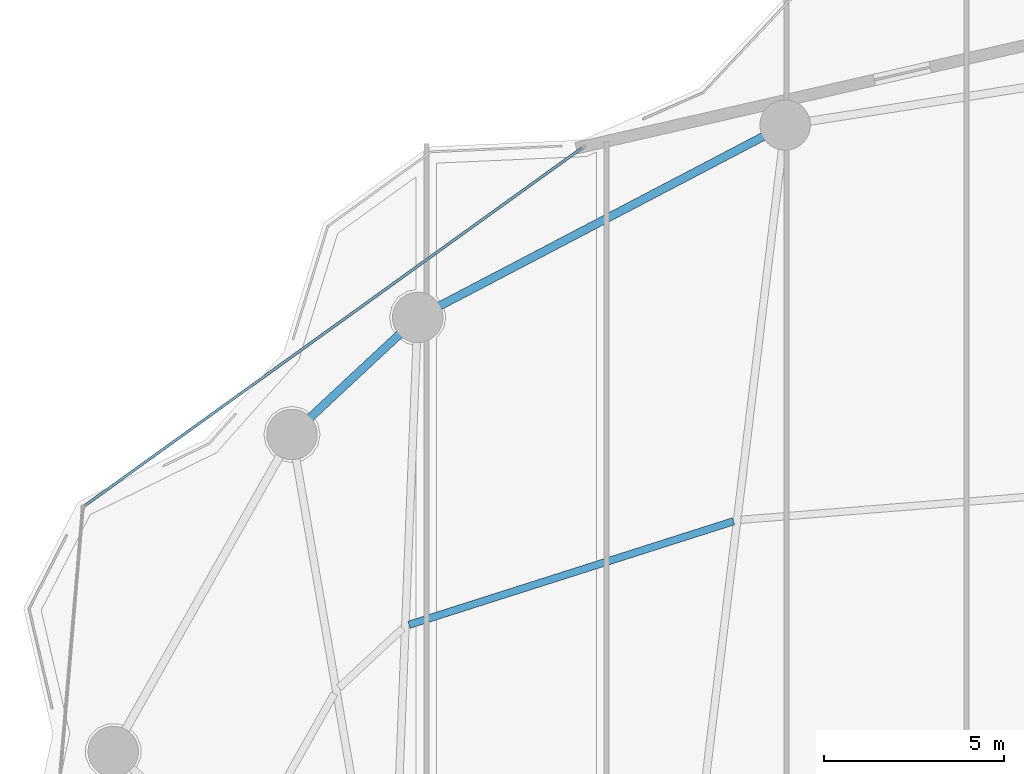
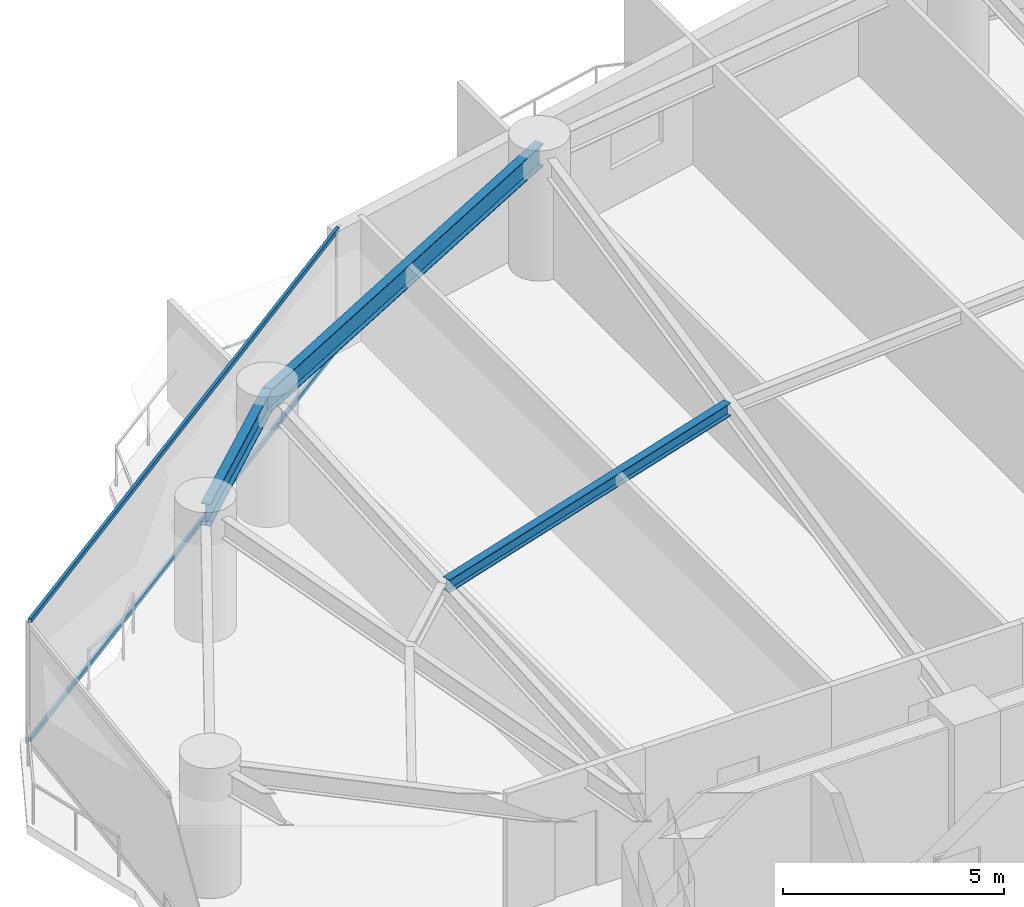
# One storey, part 18 of 30: 3 beams, 2 members, 1 element without a shape of its own.
"""IFC4 building model written with IfcOpenShell, lengths in metres."""

from ifc_helpers import new_model, si_unit, direction, frame, origin, origin_2d, place, context, subcontext, project, spatial, hollow_rectangle, i_section, extrude, material, layer, layer_set, material_profile, profile_set, type_object, element, aggregate, save


model = new_model("IFC4")

# Units and contexts
model_context = context("Model", 3, precision=1e-05, world=origin(), true_north=direction((0.0, 1.0)))
body_context = subcontext(model_context, "Body", "Model", "MODEL_VIEW")
ifc_project = project(units=[si_unit("LENGTHUNIT", "METRE"), si_unit("AREAUNIT", "SQUARE_METRE"), si_unit("VOLUMEUNIT", "CUBIC_METRE"), si_unit("PLANEANGLEUNIT", "RADIAN"), si_unit("MASSUNIT", "GRAM", prefix="KILO")], contexts=[model_context])

# Site, building, storey
site_placement = place(None, origin())
site = spatial("IfcSite", under=ifc_project, at=site_placement, CompositionType="ELEMENT")
building_placement = place(site_placement, origin())
building = spatial("IfcBuilding", under=site, at=building_placement, Name="Kazevale Care Tower and Concert Hall", CompositionType="ELEMENT")
storey_placement = place(building_placement, frame((0.0, 0.0, 70.800048828125)))
storey = spatial("IfcBuildingStorey", under=building, at=storey_placement, Name="L18", CompositionType="ELEMENT", Elevation=70.800048828125)

# Curtain wall, members
ifc_material_1 = material(Name="Aluminium 6063-T6 and Low-E Glass", Category="aluminium")
ifc_layer = layer(ifc_material_1, 0.179931640625)
ifc_layer_set = layer_set([ifc_layer], Name="Aluminium 6063-T6 and Low-E Glass")
curtain_wall_type = type_object("IfcCurtainWallType", Name="Convex Recessed Sunroom Curtain Wall CW-3", PredefinedType="NOTDEFINED", material=ifc_layer_set)
curtain_wall_placement = place(storey_placement, origin())
curtain_wall = element("IfcCurtainWall", 1, at=curtain_wall_placement, inside=storey, type_object=curtain_wall_type, Name="cw:L18:f14", PredefinedType="NOTDEFINED")
ifc_material_2 = material(Name="Aluminium 6063-T6", Category="aluminium")
ifc_material_profile_1 = material_profile(ifc_material_2, hollow_rectangle(XDim=0.074951171875, YDim=0.1201171875, WallThickness=0.00390625, at=origin_2d()), Name="ALU75x120x4")
ifc_profile_set_1 = profile_set([ifc_material_profile_1], Name="Aluminium 6063-T6")
member_type = type_object("IfcMemberType", Name="CW-3 Transom ALU75x120x4", PredefinedType="USERDEFINED", material=ifc_profile_set_1)
member_1_placement = place(storey_placement, frame((13.52490234375, 50.208740234375, 0.037353515625), z_axis=(0.811758858834, 0.583992769737, 0.0), x_axis=(-0.583992769737, 0.811758858834, 0.0)))
member_1 = element("IfcMember", 2, at=member_1_placement, type_object=member_type, Name="CW-3 transom 1.1", ObjectType="TRANSOM", PredefinedType="USERDEFINED", context=body_context, shape_type="SweptSolid", body=[
    extrude(hollow_rectangle(XDim=0.074951171875, YDim=0.1201171875, WallThickness=0.00390625, at=origin_2d()), origin(), (0.0, 0.0, 1.0), 16.990478515625),
])
member_2_placement = place(storey_placement, frame((13.52490234375, 50.208740234375, 3.322509765625), z_axis=(0.811758858834, 0.583992769737, 0.0), x_axis=(-0.583992769737, 0.811758858834, 0.0)))
member_2 = element("IfcMember", 3, at=member_2_placement, type_object=member_type, Name="CW-3 transom 1.2", ObjectType="TRANSOM", PredefinedType="USERDEFINED", context=body_context, shape_type="SweptSolid", body=[
    extrude(hollow_rectangle(XDim=0.074951171875, YDim=0.1201171875, WallThickness=0.00390625, at=origin_2d()), origin(), (0.0, 0.0, 1.0), 16.990478515625),
])
aggregate(curtain_wall, [member_1, member_2])

# Beams
ifc_material_3 = material(Name="Steel ASTM A572 Gr 50", Category="steel")
ifc_material_profile_2 = material_profile(ifc_material_3, i_section(OverallWidth=0.22900390625, OverallDepth=0.612060546875, WebThickness=0.011962890625, FlangeThickness=0.01953125, at=origin_2d()), Name="W610x125")
ifc_profile_set_2 = profile_set([ifc_material_profile_2], Name="Steel ASTM A572 Gr 50")
beam_type_1 = type_object("IfcBeamType", Name="Ring Spandrel Beam W610x125", PredefinedType="SPANDREL", material=ifc_profile_set_2)
beam_1_placement = place(storey_placement, frame((32.9599609375, 60.77001953125, 3.053955078125), z_axis=(-0.885929466679, -0.463819986708, 0.0), x_axis=(0.463819986708, -0.885929466679, 0.0)))
element("IfcBeam", 4, at=beam_1_placement, inside=storey, type_object=beam_type_1, Name="beam:L18:ring:06", PredefinedType="SPANDREL", context=body_context, shape_type="SweptSolid", body=[
    extrude(i_section(OverallWidth=0.22900390625, OverallDepth=0.612060546875, WebThickness=0.011962890625, FlangeThickness=0.01953125, at=origin_2d()), origin(), (0.0, 0.0, 1.0), 11.51318359375),
])
beam_2_placement = place(storey_placement, frame((22.760009765625, 55.429931640625, 3.053955078125), z_axis=(-0.731820896228, -0.681497010884, 0.0), x_axis=(0.681497010884, -0.731820896228, 0.0)))
element("IfcBeam", 5, at=beam_2_placement, inside=storey, type_object=beam_type_1, Name="beam:L18:ring:07", PredefinedType="SPANDREL", context=body_context, shape_type="SweptSolid", body=[
    extrude(i_section(OverallWidth=0.22900390625, OverallDepth=0.612060546875, WebThickness=0.011962890625, FlangeThickness=0.01953125, at=origin_2d()), origin(), (0.0, 0.0, 1.0), 4.768798828125),
])
ifc_material_profile_3 = material_profile(ifc_material_3, i_section(OverallWidth=0.205078125, OverallDepth=0.35400390625, WebThickness=0.009521484375, FlangeThickness=0.016845703125, at=origin_2d()), Name="W360x79")
ifc_profile_set_3 = profile_set([ifc_material_profile_3], Name="Steel ASTM A572 Gr 50")
beam_type_2 = type_object("IfcBeamType", Name="Secondary Floor Joist W360x79", PredefinedType="JOIST", material=ifc_profile_set_3)
beam_3_placement = place(storey_placement, frame((31.528076171875, 49.77197265625, 3.182861328125), z_axis=(-0.9527054955, -0.303895111584, 0.0), x_axis=(0.303895111584, -0.9527054955, 0.0)))
element("IfcBeam", 6, at=beam_3_placement, inside=storey, type_object=beam_type_2, Name="beam:L18:joist:06", PredefinedType="JOIST", context=body_context, shape_type="SweptSolid", body=[
    extrude(i_section(OverallWidth=0.205078125, OverallDepth=0.35400390625, WebThickness=0.009521484375, FlangeThickness=0.016845703125, at=origin_2d()), origin(), (0.0, 0.0, 1.0), 9.457275390625),
])

save(model, "model.ifc")
